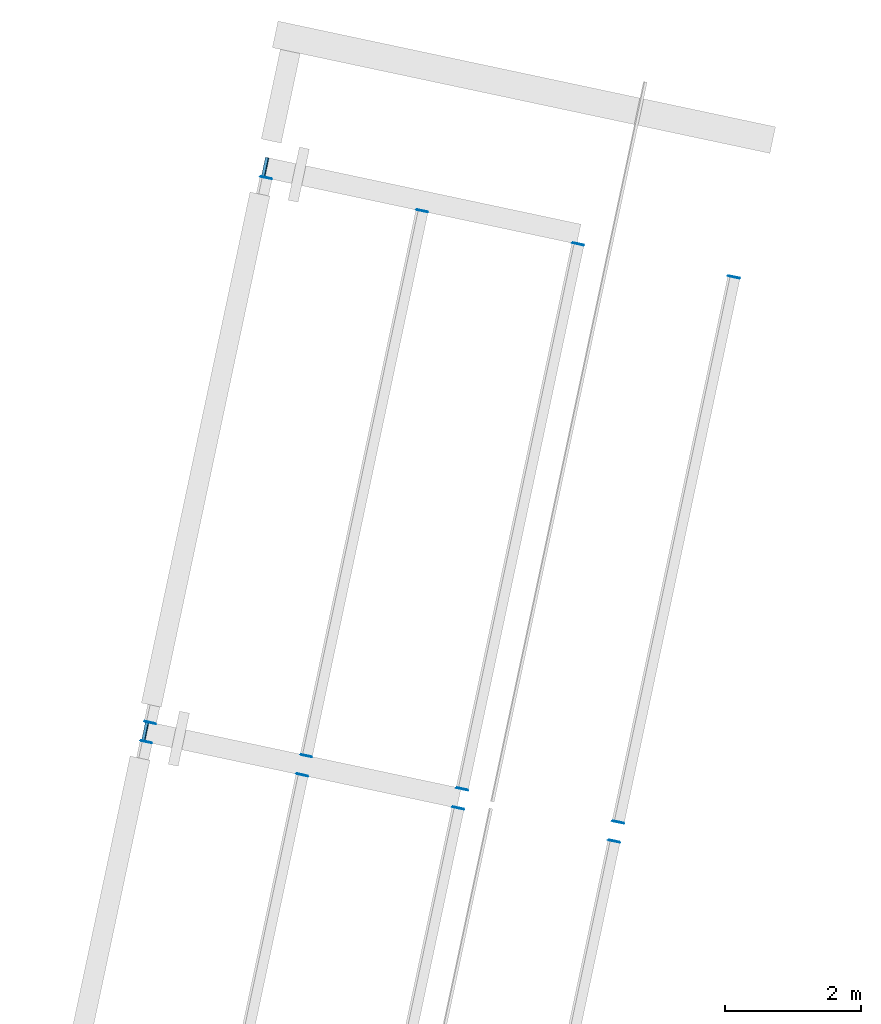
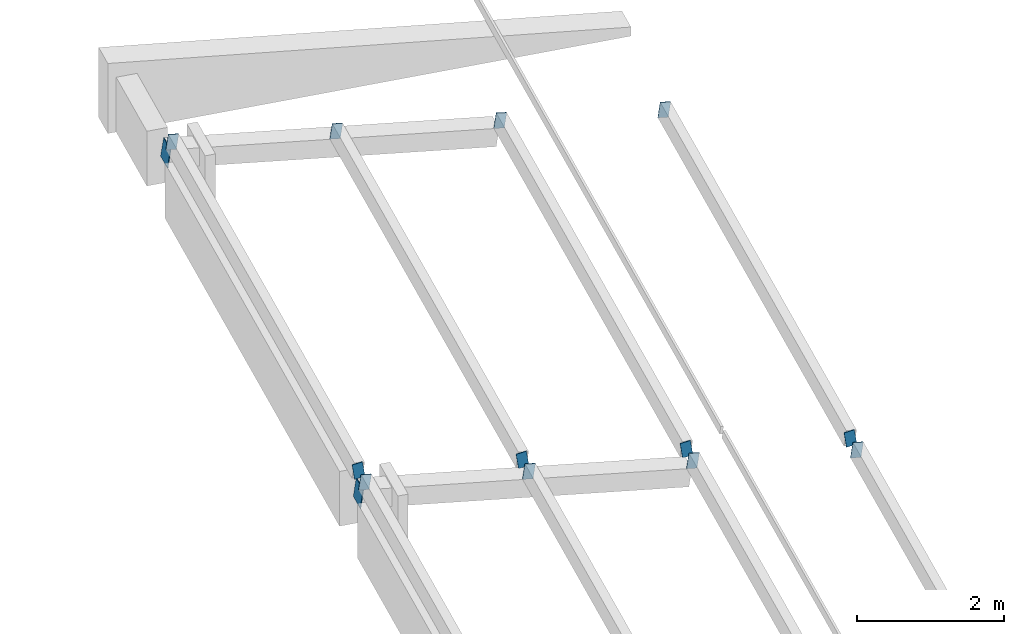
# One storey, part 59 of 69: 14 discrete accessories.
"""IFC4 building model written with IfcOpenShell, lengths in metres."""

from ifc_helpers import new_model, si_unit, direction, frame, origin, origin_2d, place, context, subcontext, project, spatial, rectangle, extrude, material, layer, layer_set, type_object, element, save


model = new_model("IFC4")

# Units and contexts
model_context = context("Model", 3, precision=1e-05, world=origin(), true_north=direction((0.0, 1.0)))
body_context = subcontext(model_context, "Body", "Model", "MODEL_VIEW")
ifc_project = project(units=[si_unit("LENGTHUNIT", "METRE"), si_unit("AREAUNIT", "SQUARE_METRE"), si_unit("VOLUMEUNIT", "CUBIC_METRE"), si_unit("PLANEANGLEUNIT", "RADIAN"), si_unit("MASSUNIT", "GRAM", prefix="KILO")], contexts=[model_context])

# Site, building, storey
site_placement = place(None, origin())
site = spatial("IfcSite", under=ifc_project, at=site_placement, CompositionType="ELEMENT")
building_placement = place(site_placement, origin())
building = spatial("IfcBuilding", under=site, at=building_placement, Name="Okhra Congress Centre", CompositionType="ELEMENT")
storey_placement = place(building_placement, frame((0.0, 0.0, 16.800048828125)))
storey = spatial("IfcBuildingStorey", under=building, at=storey_placement, Name="L03", CompositionType="ELEMENT", Elevation=16.800048828125)

# Discrete accessories
ifc_material = material(Name="Steel S355J2", Category="steel")
ifc_layer = layer(ifc_material, 0.011962890625)
ifc_layer_set = layer_set([ifc_layer], Name="Hollow section end cap 12 mm S355")
discrete_accessory_type = type_object("IfcDiscreteAccessoryType", Name="Hollow section end cap 12 mm S355", PredefinedType="BRACKET", material=ifc_layer_set)
discrete_accessory_1_placement = place(storey_placement, frame((207.018798828125, 128.93115234375, 0.78564453125), z_axis=(-0.969153265158, 0.201906930241, 0.141334851169), x_axis=(-0.203954254112, -0.978980419738, 0.0)))
element("IfcDiscreteAccessory", 1, at=discrete_accessory_1_placement, inside=storey, type_object=discrete_accessory_type, Name="Hollow section end cap", PredefinedType="BRACKET", context=body_context, shape_type="SweptSolid", body=[
    extrude(rectangle(XDim=0.300048828125, YDim=0.300048828125, at=origin_2d()), origin(), (0.0, 0.0, 1.0), 0.01220703125),
])
discrete_accessory_2_placement = place(storey_placement, frame((208.785888671875, 137.24560546875, 0.78564453125), z_axis=(-0.967889899037, 0.205934021072, 0.14415381475), x_axis=(-0.208107644465, -0.978105928985, 0.0)))
element("IfcDiscreteAccessory", 2, at=discrete_accessory_2_placement, inside=storey, type_object=discrete_accessory_type, Name="Hollow section end cap", PredefinedType="BRACKET", context=body_context, shape_type="SweptSolid", body=[
    extrude(rectangle(XDim=0.300048828125, YDim=0.300048828125, at=origin_2d()), origin(), (0.0, 0.0, 1.0), 0.011962890625),
])
for number, where, z_axis, x_axis, name in (
    (3, (207.02490234375, 128.776611328125, 1.05810546875), (0.203954254112, 0.978980419738, 0.0), (-0.969453049589, 0.201969385331, 0.13917310096), "Hollow section end cap"),
    (4, (209.323486328125, 128.2880859375, 0.727783203125), (0.223376156329, 0.974732318528, 0.0), (-0.965246290609, 0.221202274931, 0.13917310096), "Hollow section end cap"),
    (5, (211.622314453125, 127.79931640625, 0.3974609375), (0.203954254112, 0.978980419738, 0.0), (-0.969453049589, 0.201969385331, 0.13917310096), "Hollow section end cap"),
    (6, (213.9208984375, 127.310791015625, 0.067138671875), (0.203954254112, 0.978980419738, 0.0), (-0.969453049589, 0.201969385331, 0.13917310096), "Hollow section end cap"),
    (7, (207.08740234375, 129.070068359375, 1.05810546875), (-0.223376156329, -0.974732318528, 0.0), (0.965246290609, -0.221202274931, 0.13917310096), "Hollow section end cap"),
    (8, (208.792236328125, 137.0908203125, 1.05810546875), (0.203954254112, 0.978980419738, 0.0), (-0.969453049589, 0.201969385331, 0.13917310096), "Hollow section end cap"),
    (9, (209.385986328125, 128.581298828125, 0.727783203125), (-0.203954254112, -0.978980419738, 0.0), (0.969453049589, -0.201969385331, 0.13917310096), "Hollow section end cap"),
    (10, (211.0908203125, 136.602294921875, 0.727783203125), (0.203954254112, 0.978980419738, 0.0), (-0.969453049589, 0.201969385331, 0.13917310096), "Hollow section end cap"),
    (11, (211.6845703125, 128.0927734375, 0.3974609375), (-0.203954254112, -0.978980419738, 0.0), (0.969453049589, -0.201969385331, 0.13917310096), "Hollow section end cap"),
):
    element("IfcDiscreteAccessory", number, at=place(storey_placement, frame(where, z_axis=z_axis, x_axis=x_axis)), inside=storey, type_object=discrete_accessory_type, Name=name, PredefinedType="BRACKET", context=body_context, shape_type="SweptSolid", body=[
        extrude(rectangle(XDim=0.14990234375, YDim=0.25, at=origin_2d()), origin(), (0.0, 0.0, 1.0), 0.011962890625),
    ])
discrete_accessory_3_placement = place(storey_placement, frame((213.389404296875, 136.113525390625, 0.3974609375), z_axis=(0.219038342307, 0.975716252094, 0.0), x_axis=(-0.9662206486, 0.216906676216, 0.13917310096)))
element("IfcDiscreteAccessory", 12, at=discrete_accessory_3_placement, inside=storey, type_object=discrete_accessory_type, Name="Hollow section end cap", PredefinedType="BRACKET", context=body_context, shape_type="SweptSolid", body=[
    extrude(rectangle(XDim=0.14990234375, YDim=0.25, at=origin_2d()), origin(), (0.0, 0.0, 1.0), 0.01220703125),
])
for number, where, z_axis, x_axis, name in (
    (13, (213.983154296875, 127.604248046875, 0.067138671875), (-0.203954254112, -0.978980419738, 0.0), (0.969453049589, -0.201969385331, 0.13917310096), "Hollow section end cap"),
    (14, (215.688232421875, 135.625, 0.067138671875), (0.203954254112, 0.978980419738, 0.0), (-0.969453049589, 0.201969385331, 0.13917310096), "Hollow section end cap"),
):
    element("IfcDiscreteAccessory", number, at=place(storey_placement, frame(where, z_axis=z_axis, x_axis=x_axis)), inside=storey, type_object=discrete_accessory_type, Name=name, PredefinedType="BRACKET", context=body_context, shape_type="SweptSolid", body=[
        extrude(rectangle(XDim=0.14990234375, YDim=0.25, at=origin_2d()), origin(), (0.0, 0.0, 1.0), 0.011962890625),
    ])

save(model, "model.ifc")
